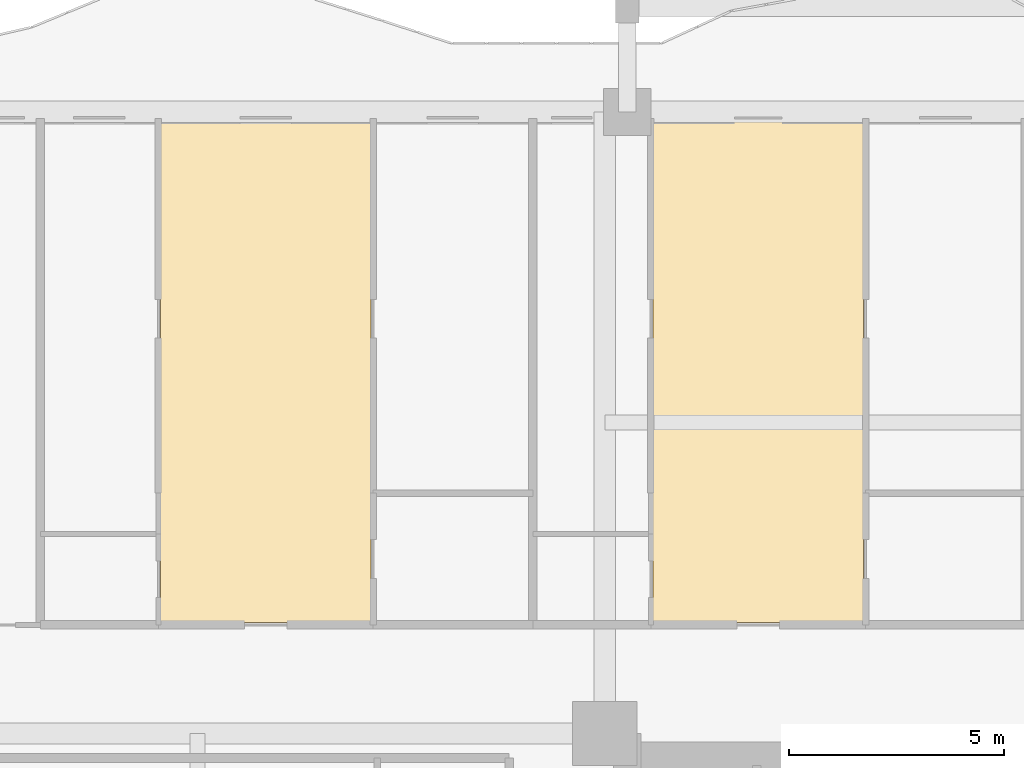
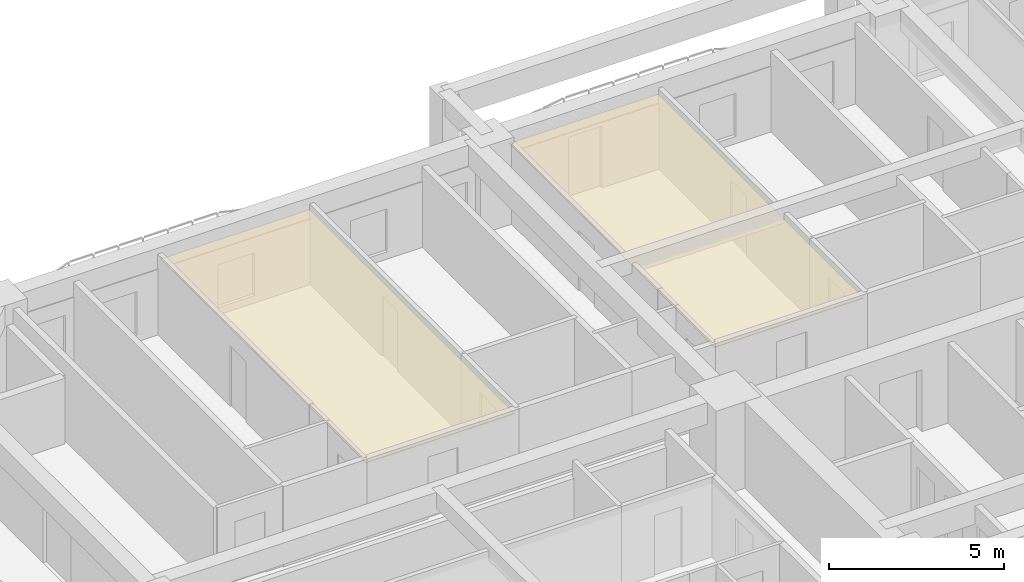
# One storey, part 15 of 16: 2 coverings.
"""IFC4 building model written with IfcOpenShell, lengths in metres."""

from ifc_helpers import new_model, si_unit, direction, frame, origin, place, context, subcontext, project, spatial, polyline, outline, extrude, material, layer, layer_set, type_object, element, save


model = new_model("IFC4")

# Units and contexts
model_context = context("Model", 3, precision=1e-05, world=origin(), true_north=direction((0.0, 1.0)))
body_context = subcontext(model_context, "Body", "Model", "MODEL_VIEW")
ifc_project = project(units=[si_unit("LENGTHUNIT", "METRE"), si_unit("AREAUNIT", "SQUARE_METRE"), si_unit("VOLUMEUNIT", "CUBIC_METRE"), si_unit("PLANEANGLEUNIT", "RADIAN"), si_unit("MASSUNIT", "GRAM", prefix="KILO")], contexts=[model_context])

# Site, building, storey
site_placement = place(None, origin())
site = spatial("IfcSite", under=ifc_project, at=site_placement, CompositionType="ELEMENT")
building_placement = place(site_placement, origin())
building = spatial("IfcBuilding", under=site, at=building_placement, Name="Saelheon Loggia Tower", CompositionType="ELEMENT")
storey_placement = place(building_placement, frame((0.0, 0.0, 37.39990234375)))
storey = spatial("IfcBuildingStorey", under=building, at=storey_placement, Name="L11", CompositionType="ELEMENT", Elevation=37.39990234375)

# Coverings
ifc_material = material(Name="Mineral-Fibre Acoustic Ceiling Board", Category="gypsum")
ifc_layer = layer(ifc_material, 0.02490234375)
ifc_layer_set = layer_set([ifc_layer], Name="Mineral-Fibre Acoustic Ceiling Board")
covering_type = type_object("IfcCoveringType", Name="Cov_Ceiling_Acoustic", PredefinedType="CEILING", material=ifc_layer_set)
covering_1_placement = place(storey_placement, frame((0.0, 0.0, 2.53515625)))
element("IfcCovering", 1, at=covering_1_placement, inside=storey, type_object=covering_type, Name="L11 Acoustic Suspended Ceiling", PredefinedType="CEILING", context=body_context, shape_type="SweptSolid", body=[
    extrude(outline(polyline([(20.6298828125, 39.10009765625), (25.529541015625, 39.10009765625), (25.529541015625, 50.800048828125), (20.6298828125, 50.800048828125), (20.6298828125, 39.10009765625)])), origin(), (0.0, 0.0, 1.0), 0.02490234375),
])
covering_2_placement = place(storey_placement, frame((0.0, 0.0, 2.53515625)))
element("IfcCovering", 2, at=covering_2_placement, inside=storey, type_object=covering_type, Name="L11 Acoustic Suspended Ceiling", PredefinedType="CEILING", context=body_context, shape_type="SweptSolid", body=[
    extrude(outline(polyline([(32.102294921875, 39.10009765625), (37.001708984375, 39.10009765625), (37.001708984375, 50.800048828125), (32.102294921875, 50.800048828125), (32.102294921875, 39.10009765625)])), origin(), (0.0, 0.0, 1.0), 0.02490234375),
])

save(model, "model.ifc")
